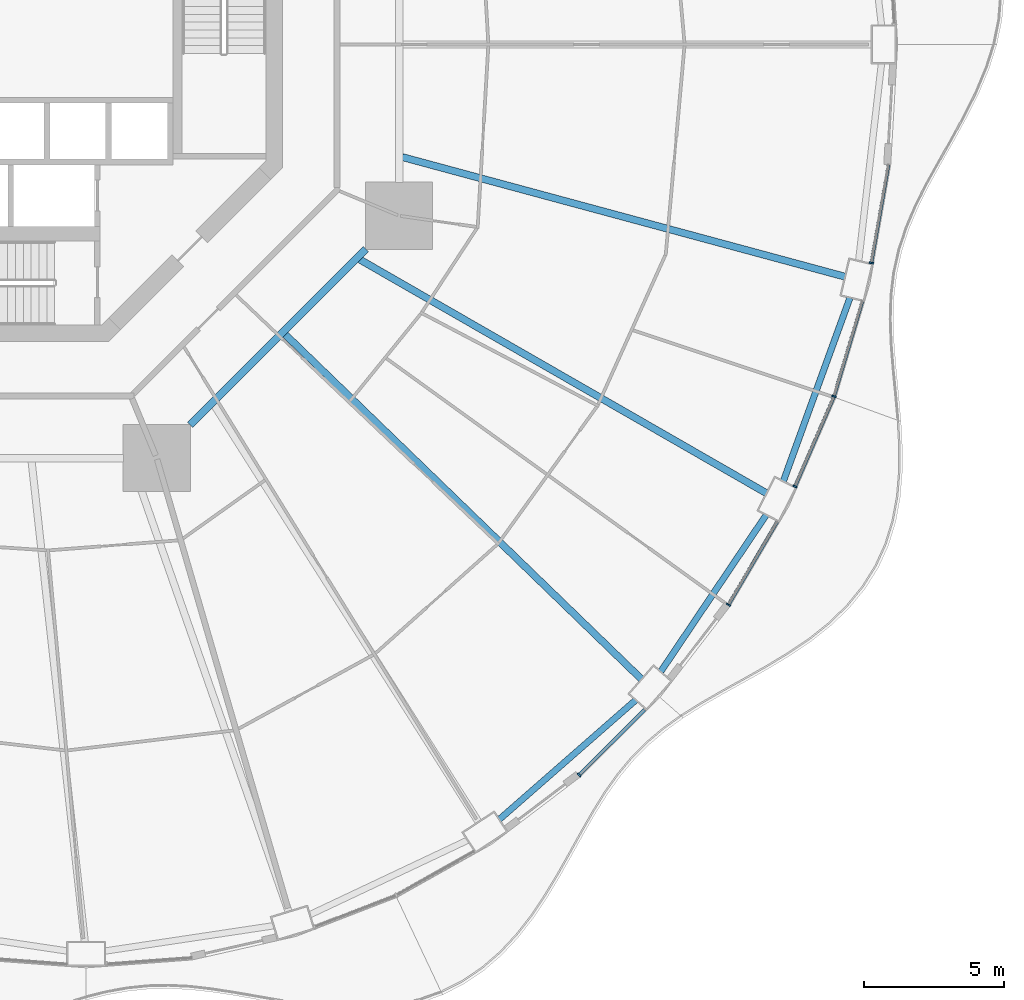
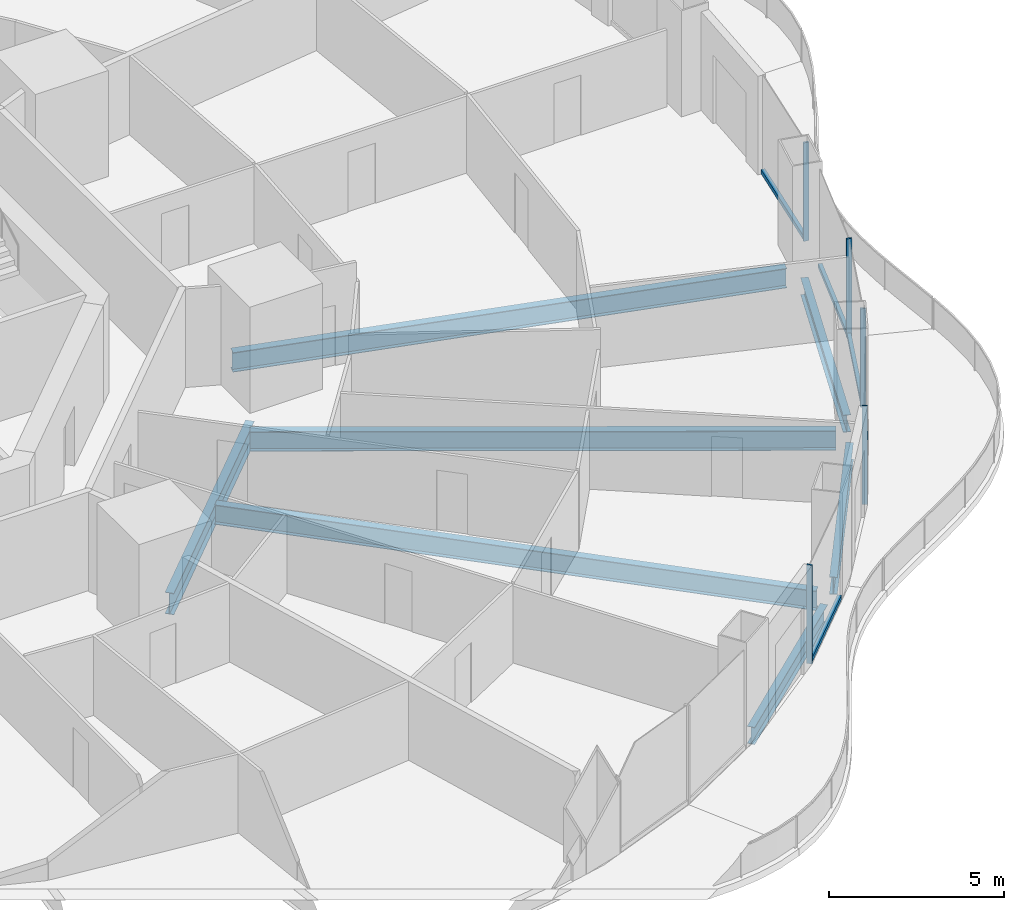
# One storey, part 5 of 22: 10 members, 7 beams, 5 elements without a shape of their own.
"""IFC4 building model written with IfcOpenShell, lengths in metres."""

from ifc_helpers import new_model, si_unit, direction, frame, origin, origin_2d, place, context, subcontext, project, spatial, rectangle, i_section, extrude, material, layer, layer_set, material_profile, profile_set, type_object, element, aggregate, save


model = new_model("IFC4")

# Units and contexts
model_context = context("Model", 3, precision=1e-05, world=origin(), true_north=direction((0.0, 1.0)))
body_context = subcontext(model_context, "Body", "Model", "MODEL_VIEW")
ifc_project = project(units=[si_unit("LENGTHUNIT", "METRE"), si_unit("AREAUNIT", "SQUARE_METRE"), si_unit("VOLUMEUNIT", "CUBIC_METRE"), si_unit("PLANEANGLEUNIT", "RADIAN"), si_unit("MASSUNIT", "GRAM", prefix="KILO")], contexts=[model_context])

# Site, building, storey
site_placement = place(None, origin())
site = spatial("IfcSite", under=ifc_project, at=site_placement, CompositionType="ELEMENT")
building_placement = place(site_placement, origin())
building = spatial("IfcBuilding", under=site, at=building_placement, Name="Nagisa Residences", CompositionType="ELEMENT")
storey_placement = place(building_placement, frame((0.0, 0.0, 52.89990234375)))
storey = spatial("IfcBuildingStorey", under=building, at=storey_placement, Name="L12", CompositionType="ELEMENT", Elevation=52.89990234375)

# Curtain wall, member
ifc_material_1 = material(Name="Concrete-coloured aluminium curtain wall system", Category="concrete")
ifc_layer = layer(ifc_material_1, 0.159912109375)
ifc_layer_set = layer_set([ifc_layer], Name="CW1 CURTAIN WALL")
curtain_wall_type = type_object("IfcCurtainWallType", Name="CW1 CURTAIN WALL", PredefinedType="NOTDEFINED", material=ifc_layer_set)
curtain_wall_1_placement = place(storey_placement, origin())
curtain_wall_1 = element("IfcCurtainWall", 1, at=curtain_wall_1_placement, inside=storey, type_object=curtain_wall_type, Name="cw:CW1:L12:41", PredefinedType="NOTDEFINED")
ifc_material_2 = material(Name="Concrete-coloured aluminium", Category="concrete")
ifc_material_profile_1 = material_profile(ifc_material_2, rectangle(XDim=0.159912109375, YDim=0.06005859375, at=origin_2d()), Name="CW1 MULLION 160x60")
ifc_profile_set_1 = profile_set([ifc_material_profile_1], Name="Concrete-coloured aluminium")
member_type_1 = type_object("IfcMemberType", Name="CW1 MULLION 160x60", PredefinedType="MULLION", material=ifc_profile_set_1)
member_1_placement = place(storey_placement, frame((21.21875, -26.102783203125, 0.0), z_axis=(0.0, 0.0, 1.0), x_axis=(-0.706376885714, 0.707835924016, 0.0)))
member_1 = element("IfcMember", 2, at=member_1_placement, type_object=member_type_1, Name="CW1 mullion", PredefinedType="MULLION", context=body_context, shape_type="SweptSolid", body=[
    extrude(rectangle(XDim=0.159912109375, YDim=0.06005859375, at=origin_2d()), origin(), (0.0, 0.0, 1.0), 3.440185546875),
])

curtain_wall_2_placement = place(storey_placement, origin())
curtain_wall_2 = element("IfcCurtainWall", 3, at=curtain_wall_2_placement, inside=storey, type_object=curtain_wall_type, Name="cw:CW1:L12:43", PredefinedType="NOTDEFINED")
member_2_placement = place(storey_placement, frame((26.553466796875, -20.022705078125, 0.0), z_axis=(0.0, 0.0, 1.0), x_axis=(-0.862328898214, 0.506348567002, 0.0)))
member_2 = element("IfcMember", 4, at=member_2_placement, type_object=member_type_1, Name="CW1 mullion", PredefinedType="MULLION", context=body_context, shape_type="SweptSolid", body=[
    extrude(rectangle(XDim=0.159912109375, YDim=0.06005859375, at=origin_2d()), origin(), (0.0, 0.0, 1.0), 3.440185546875),
])

curtain_wall_3_placement = place(storey_placement, origin())
curtain_wall_3 = element("IfcCurtainWall", 5, at=curtain_wall_3_placement, inside=storey, type_object=curtain_wall_type, Name="cw:CW1:L12:44", PredefinedType="NOTDEFINED")
member_3_placement = place(storey_placement, frame((28.931640625, -15.79833984375, 0.0), z_axis=(0.0, 0.0, 1.0), x_axis=(-0.917543276295, 0.397635934147, 0.0)))
member_3 = element("IfcMember", 6, at=member_3_placement, type_object=member_type_1, Name="CW1 mullion", PredefinedType="MULLION", context=body_context, shape_type="SweptSolid", body=[
    extrude(rectangle(XDim=0.159912109375, YDim=0.06005859375, at=origin_2d()), origin(), (0.0, 0.0, 1.0), 3.440185546875),
])

curtain_wall_4_placement = place(storey_placement, origin())
curtain_wall_4 = element("IfcCurtainWall", 7, at=curtain_wall_4_placement, inside=storey, type_object=curtain_wall_type, Name="cw:CW1:L12:45", PredefinedType="NOTDEFINED")
member_4_placement = place(storey_placement, frame((30.324462890625, -12.576904296875, 0.0), z_axis=(0.0, 0.0, 1.0), x_axis=(-0.958271310082, 0.285860274038, 0.0)))
member_4 = element("IfcMember", 8, at=member_4_placement, type_object=member_type_1, Name="CW1 mullion", PredefinedType="MULLION", context=body_context, shape_type="SweptSolid", body=[
    extrude(rectangle(XDim=0.159912109375, YDim=0.06005859375, at=origin_2d()), origin(), (0.0, 0.0, 1.0), 3.440185546875),
])

curtain_wall_5_placement = place(storey_placement, origin())
curtain_wall_5 = element("IfcCurtainWall", 9, at=curtain_wall_5_placement, inside=storey, type_object=curtain_wall_type, Name="cw:CW1:L12:46", PredefinedType="NOTDEFINED")
member_5_placement = place(storey_placement, frame((31.65869140625, -7.80810546875, 0.0), z_axis=(0.0, 0.0, 1.0), x_axis=(-0.985063604377, 0.172190868898, 0.0)))
member_5 = element("IfcMember", 10, at=member_5_placement, type_object=member_type_1, Name="CW1 mullion", PredefinedType="MULLION", context=body_context, shape_type="SweptSolid", body=[
    extrude(rectangle(XDim=0.159912109375, YDim=0.06005859375, at=origin_2d()), origin(), (0.0, 0.0, 1.0), 3.440185546875),
])

# Member
ifc_material_3 = material(Name="Concrete-coloured aluminium", Category="concrete")
ifc_material_profile_2 = material_profile(ifc_material_3, rectangle(XDim=0.1201171875, YDim=0.14990234375, at=origin_2d()), Name="CW1 TRANSOM 120x150")
ifc_profile_set_2 = profile_set([ifc_material_profile_2], Name="Concrete-coloured aluminium")
member_type_2 = type_object("IfcMemberType", Name="CW1 TRANSOM 120x150", PredefinedType="USERDEFINED", material=ifc_profile_set_2)
member_6_placement = place(storey_placement, frame((21.197509765625, -26.1240234375, 0.0751953125), z_axis=(0.707876350734, 0.706336373176, 0.0), x_axis=(-0.706336373176, 0.707876350734, 0.0)))
member_6 = element("IfcMember", 11, at=member_6_placement, type_object=member_type_2, Name="CW1 transom", ObjectType="TRANSOM", PredefinedType="USERDEFINED", context=body_context, shape_type="SweptSolid", body=[
    extrude(rectangle(XDim=0.1201171875, YDim=0.14990234375, at=origin_2d()), origin(), (0.0, 0.0, 1.0), 3.329345703125),
])

aggregate(curtain_wall_1, [member_1, member_6])

member_7_placement = place(storey_placement, frame((26.538330078125, -20.048583984375, 0.0751953125), z_axis=(0.506341951316, 0.862332782827, 0.0), x_axis=(-0.862332782827, 0.506341951316, 0.0)))
member_7 = element("IfcMember", 12, at=member_7_placement, type_object=member_type_2, Name="CW1 transom", ObjectType="TRANSOM", PredefinedType="USERDEFINED", context=body_context, shape_type="SweptSolid", body=[
    extrude(rectangle(XDim=0.1201171875, YDim=0.14990234375, at=origin_2d()), origin(), (0.0, 0.0, 1.0), 3.4619140625),
])

aggregate(curtain_wall_2, [member_2, member_7])

member_8_placement = place(storey_placement, frame((28.919677734375, -15.825927734375, 0.0751953125), z_axis=(0.397624958345, 0.917548032803, 0.0), x_axis=(-0.917548032803, 0.397624958345, 0.0)))
member_8 = element("IfcMember", 13, at=member_8_placement, type_object=member_type_2, Name="CW1 transom", ObjectType="TRANSOM", PredefinedType="USERDEFINED", context=body_context, shape_type="SweptSolid", body=[
    extrude(rectangle(XDim=0.1201171875, YDim=0.14990234375, at=origin_2d()), origin(), (0.0, 0.0, 1.0), 3.51953125),
])

aggregate(curtain_wall_3, [member_3, member_8])

member_9_placement = place(storey_placement, frame((30.31591796875, -12.605712890625, 0.0751953125), z_axis=(0.285871309426, 0.958268018065, 0.0), x_axis=(-0.958268018065, 0.285871309426, 0.0)))
member_9 = element("IfcMember", 14, at=member_9_placement, type_object=member_type_2, Name="CW1 transom", ObjectType="TRANSOM", PredefinedType="USERDEFINED", context=body_context, shape_type="SweptSolid", body=[
    extrude(rectangle(XDim=0.1201171875, YDim=0.14990234375, at=origin_2d()), origin(), (0.0, 0.0, 1.0), 3.5654296875),
])

aggregate(curtain_wall_4, [member_4, member_9])

member_10_placement = place(storey_placement, frame((31.653564453125, -7.837646484375, 0.0751953125), z_axis=(0.172228889385, 0.985056957572, 0.0), x_axis=(-0.985056957572, 0.172228889385, 0.0)))
member_10 = element("IfcMember", 15, at=member_10_placement, type_object=member_type_2, Name="CW1 transom", ObjectType="TRANSOM", PredefinedType="USERDEFINED", context=body_context, shape_type="SweptSolid", body=[
    extrude(rectangle(XDim=0.1201171875, YDim=0.14990234375, at=origin_2d()), origin(), (0.0, 0.0, 1.0), 3.59765625),
])

aggregate(curtain_wall_5, [member_5, member_10])

# Beams
ifc_material_4 = material(Name="Steel ASTM A572 Gr 50", Category="steel")
ifc_material_profile_3 = material_profile(ifc_material_4, i_section(OverallWidth=0.264892578125, OverallDepth=0.7529296875, WebThickness=0.01318359375, FlangeThickness=0.01708984375, at=origin_2d()), Name="W760x147")
ifc_profile_set_3 = profile_set([ifc_material_profile_3], Name="Steel ASTM A572 Gr 50")
beam_type_1 = type_object("IfcBeamType", Name="Inner ring beam W760x147", PredefinedType="BEAM", material=ifc_profile_set_3)
beam_1_placement = place(storey_placement, frame((7.308837890625, -13.59619140625, -0.636474609375), z_axis=(0.707106781187, 0.707106781187, 0.0), x_axis=(-0.707106781187, 0.707106781187, 0.0)))
element("IfcBeam", 16, at=beam_1_placement, inside=storey, type_object=beam_type_1, Name="beam:L12:ib7", PredefinedType="BEAM", context=body_context, shape_type="SweptSolid", body=[
    extrude(i_section(OverallWidth=0.264892578125, OverallDepth=0.7529296875, WebThickness=0.01318359375, FlangeThickness=0.01708984375, at=origin_2d()), origin(), (0.0, 0.0, 1.0), 8.8916015625),
])
ifc_material_5 = material(Name="Steel ASTM A572 Gr 50", Category="steel")
ifc_material_profile_4 = material_profile(ifc_material_5, i_section(OverallWidth=0.22802734375, OverallDepth=0.60302734375, WebThickness=0.010498046875, FlangeThickness=0.014892578125, at=origin_2d()), Name="W610x101")
ifc_profile_set_4 = profile_set([ifc_material_profile_4], Name="Steel ASTM A572 Gr 50")
beam_type_2 = type_object("IfcBeamType", Name="Perimeter ring beam W610x101", PredefinedType="BEAM", material=ifc_profile_set_4)
beam_2_placement = place(storey_placement, frame((18.36669921875, -27.693603515625, -0.5615234375), z_axis=(0.7525907186, 0.658488580217, 0.0), x_axis=(-0.658488580217, 0.7525907186, 0.0)))
element("IfcBeam", 17, at=beam_2_placement, inside=storey, type_object=beam_type_2, Name="beam:L12:pb21", PredefinedType="BEAM", context=body_context, shape_type="SweptSolid", body=[
    extrude(i_section(OverallWidth=0.22802734375, OverallDepth=0.60302734375, WebThickness=0.010498046875, FlangeThickness=0.014892578125, at=origin_2d()), origin(), (0.0, 0.0, 1.0), 6.470458984375),
])
beam_3_placement = place(storey_placement, frame((24.135498046875, -22.411865234375, -0.5615234375), z_axis=(0.558271879663, 0.829658067144, 0.0), x_axis=(-0.829658067144, 0.558271879663, 0.0)))
element("IfcBeam", 18, at=beam_3_placement, inside=storey, type_object=beam_type_2, Name="beam:L12:pb22", PredefinedType="BEAM", context=body_context, shape_type="SweptSolid", body=[
    extrude(i_section(OverallWidth=0.22802734375, OverallDepth=0.60302734375, WebThickness=0.010498046875, FlangeThickness=0.014892578125, at=origin_2d()), origin(), (0.0, 0.0, 1.0), 6.74169921875),
])
beam_4_placement = place(storey_placement, frame((28.515625, -15.60595703125, -0.5615234375), z_axis=(0.341411143183, 0.939914055279, 0.0), x_axis=(-0.939914055279, 0.341411143183, 0.0)))
element("IfcBeam", 19, at=beam_4_placement, inside=storey, type_object=beam_type_2, Name="beam:L12:pb23", PredefinedType="BEAM", context=body_context, shape_type="SweptSolid", body=[
    extrude(i_section(OverallWidth=0.22802734375, OverallDepth=0.60302734375, WebThickness=0.010498046875, FlangeThickness=0.014892578125, at=origin_2d()), origin(), (0.0, 0.0, 1.0), 6.96923828125),
])
ifc_material_6 = material(Name="Steel ASTM A572 Gr 50", Category="steel")
ifc_material_profile_5 = material_profile(ifc_material_6, i_section(OverallWidth=0.25390625, OverallDepth=0.68408203125, WebThickness=0.012451171875, FlangeThickness=0.018798828125, at=origin_2d()), Name="W690x140")
ifc_profile_set_5 = profile_set([ifc_material_profile_5], Name="Steel ASTM A572 Gr 50")
beam_type_3 = type_object("IfcBeamType", Name="Radial beam W690x140", PredefinedType="BEAM", material=ifc_profile_set_5)
beam_5_placement = place(storey_placement, frame((23.443115234375, -22.681640625, -0.601806640625), z_axis=(-0.718678305776, 0.695342716081, 0.0), x_axis=(-0.695342716081, -0.718678305776, 0.0)))
element("IfcBeam", 20, at=beam_5_placement, inside=storey, type_object=beam_type_3, Name="beam:L12:rb22", PredefinedType="BEAM", context=body_context, shape_type="SweptSolid", body=[
    extrude(i_section(OverallWidth=0.25390625, OverallDepth=0.68408203125, WebThickness=0.012451171875, FlangeThickness=0.018798828125, at=origin_2d()), origin(), (0.0, 0.0, 1.0), 17.722900390625),
])
beam_6_placement = place(storey_placement, frame((27.908447265625, -16.035400390625, -0.601806640625), z_axis=(-0.867068052258, 0.498189715623, 0.0), x_axis=(-0.498189715623, -0.867068052258, 0.0)))
element("IfcBeam", 21, at=beam_6_placement, inside=storey, type_object=beam_type_3, Name="beam:L12:rb23", PredefinedType="BEAM", context=body_context, shape_type="SweptSolid", body=[
    extrude(i_section(OverallWidth=0.25390625, OverallDepth=0.68408203125, WebThickness=0.012451171875, FlangeThickness=0.018798828125, at=origin_2d()), origin(), (0.0, 0.0, 1.0), 16.758056640625),
])
beam_7_placement = place(storey_placement, frame((30.713623046875, -8.29931640625, -0.601806640625), z_axis=(-0.965375968847, 0.260862490162, 0.0), x_axis=(-0.260862490162, -0.965375968847, 0.0)))
element("IfcBeam", 22, at=beam_7_placement, inside=storey, type_object=beam_type_3, Name="beam:L12:rb24", PredefinedType="BEAM", context=body_context, shape_type="SweptSolid", body=[
    extrude(i_section(OverallWidth=0.25390625, OverallDepth=0.68408203125, WebThickness=0.012451171875, FlangeThickness=0.018798828125, at=origin_2d()), origin(), (0.0, 0.0, 1.0), 16.3857421875),
])

save(model, "model.ifc")
